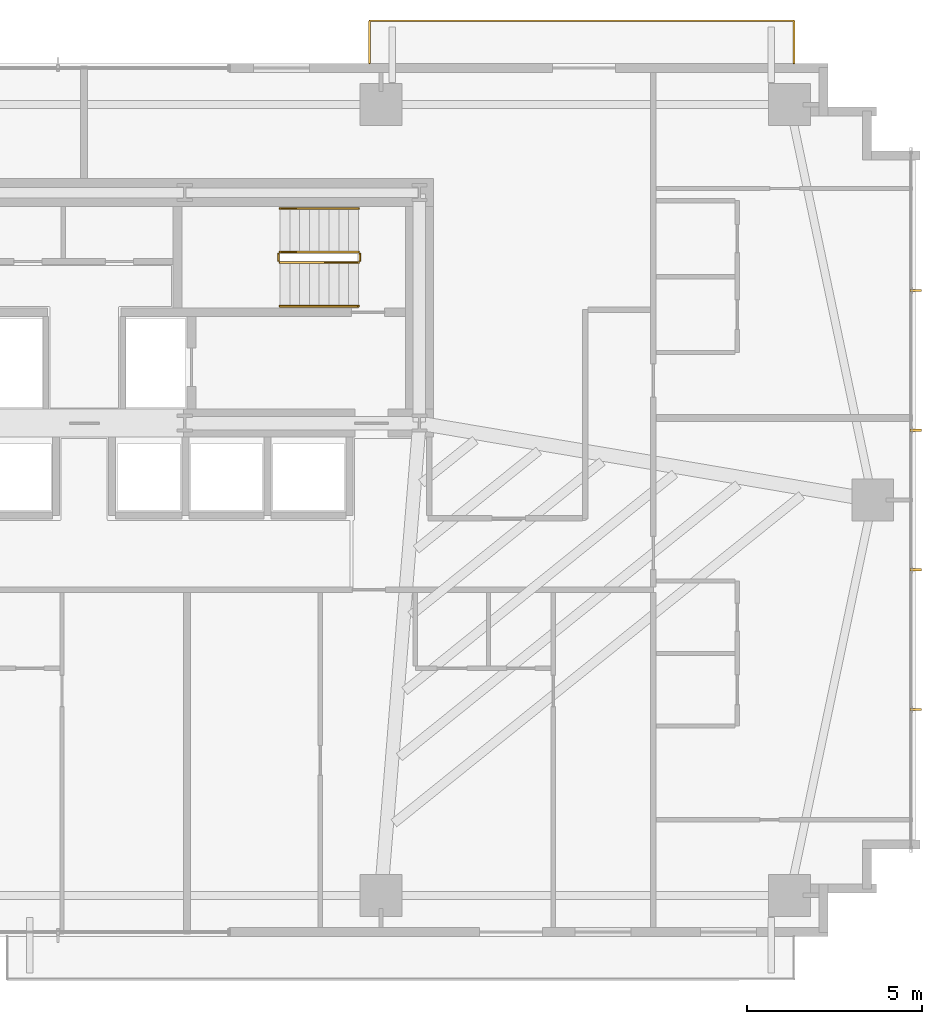
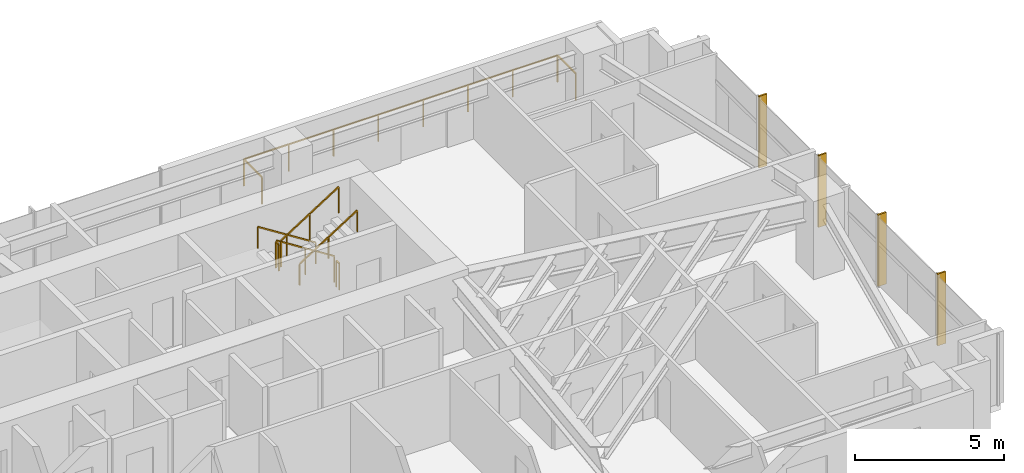
# One storey, part 25 of 25: 7 railings, 4 shading devices.
"""IFC4 building model written with IfcOpenShell, lengths in metres."""

from ifc_helpers import new_model, si_unit, direction, frame, origin, origin_2d, place, context, subcontext, project, spatial, rectangle, extrude, source, transform, mapped, material, type_object, type_shapes, element, save


model = new_model("IFC4")

# Units and contexts
model_context = context("Model", 3, precision=1e-05, world=origin(), true_north=direction((0.0, 1.0)))
body_context = subcontext(model_context, "Body", "Model", "MODEL_VIEW")
ifc_project = project(units=[si_unit("LENGTHUNIT", "METRE"), si_unit("AREAUNIT", "SQUARE_METRE"), si_unit("VOLUMEUNIT", "CUBIC_METRE"), si_unit("PLANEANGLEUNIT", "RADIAN"), si_unit("MASSUNIT", "GRAM", prefix="KILO")], contexts=[model_context])

# Site, building, storey
site_placement = place(None, origin())
site = spatial("IfcSite", under=ifc_project, at=site_placement, CompositionType="ELEMENT")
building_placement = place(site_placement, origin())
building = spatial("IfcBuilding", under=site, at=building_placement, Name="Astriad Promenade Condominiums", CompositionType="ELEMENT")
storey_placement = place(building_placement, frame((0.0, 0.0, 45.39990234375)))
storey = spatial("IfcBuildingStorey", under=building, at=storey_placement, Name="L12", CompositionType="ELEMENT", Elevation=45.39990234375)

# Shading devices
ifc_material_1 = material(Name="Anodised aluminium 6063-T6 Black Fin", Category="aluminium")
shading_device_type = type_object("IfcShadingDeviceType", Name="FIN-BLACK-320", PredefinedType="USERDEFINED", material=ifc_material_1)
shared_shape_1 = source(origin(), body_context, "Body", "SweptSolid", [
    extrude(rectangle(XDim=0.06494140625, YDim=0.320068359375, at=origin_2d()), origin(), (0.0, 0.0, 1.0), 2.93994140625),
])
type_shapes(shading_device_type, [shared_shape_1])
for number, where, z_axis, x_axis, name in (
    (1, (59.81005859375, 21.199951171875, 0.000244140625), (0.0, 0.0, 1.0), (0.0, -1.0, 0.0), "CW-L12-E-FIN-01"),
    (2, (59.81005859375, 17.199951171875, 0.000244140625), (0.0, 0.0, 1.0), (0.0, -1.0, 0.0), "CW-L12-E-FIN-02"),
    (3, (59.81005859375, 13.199951171875, 0.000244140625), (0.0, 0.0, 1.0), (0.0, -1.0, 0.0), "CW-L12-E-FIN-03"),
    (4, (59.81005859375, 9.199951171875, 0.000244140625), (0.0, 0.0, 1.0), (0.0, -1.0, 0.0), "CW-L12-E-FIN-04"),
):
    element("IfcShadingDevice", number, at=place(storey_placement, frame(where, z_axis=z_axis, x_axis=x_axis)), inside=storey, type_object=shading_device_type, Name=name, ObjectType="FIN", PredefinedType="USERDEFINED", context=body_context, shape_type="MappedRepresentation", body=[
        mapped(shared_shape_1, transform((0.0, 0.0, 0.0), scale=1.0)),
    ])

# Railings
ifc_material_2 = material(Name="Laminated Glass and Stainless Steel Balustrade", Category="steel")
railing_type_1 = type_object("IfcRailingType", Name="GRD-BALC-1120", PredefinedType="BALUSTRADE", material=ifc_material_2)
shared_shape_2 = source(origin(), body_context, "Body", "SweptSolid", [
    extrude(rectangle(XDim=0.048095703125, YDim=0.048095703125, at=origin_2d()), frame((0.0, 0.0, 1.09619140625), z_axis=(0.0, 1.0, 0.0), x_axis=(-1.0, 0.0, 0.0)), (0.0, 0.0, 1.0), 1.219970703125),
    extrude(rectangle(XDim=0.048095703125, YDim=0.048095703125, at=origin_2d()), frame((0.0, 1.219970703125, 1.09619140625), z_axis=(-1.0, 0.0, 0.0), x_axis=(0.0, -1.0, 0.0)), (0.0, 0.0, 1.0), 12.153076171875),
    extrude(rectangle(XDim=0.048095703125, YDim=0.048095703125, at=origin_2d()), frame((-12.153076171875, 1.219970703125, 1.09619140625), z_axis=(0.0, -1.0, 0.0), x_axis=(1.0, 0.0, 0.0)), (0.0, 0.0, 1.0), 1.219970703125),
    extrude(rectangle(XDim=0.0419921875, YDim=0.0419921875, at=origin_2d()), origin(), (0.0, 0.0, 1.0), 1.072021484375),
    extrude(rectangle(XDim=0.0419921875, YDim=0.0419921875, at=origin_2d()), frame((0.0, 1.219970703125, 0.0)), (0.0, 0.0, 1.0), 1.072021484375),
    extrude(rectangle(XDim=0.0419921875, YDim=0.0419921875, at=origin_2d()), frame((-1.736083984375, 1.219970703125, 0.0)), (0.0, 0.0, 1.0), 1.072021484375),
    extrude(rectangle(XDim=0.0419921875, YDim=0.0419921875, at=origin_2d()), frame((-3.472412109375, 1.219970703125, 0.0)), (0.0, 0.0, 1.0), 1.072021484375),
    extrude(rectangle(XDim=0.0419921875, YDim=0.0419921875, at=origin_2d()), frame((-5.20849609375, 1.219970703125, 0.0)), (0.0, 0.0, 1.0), 1.072021484375),
    extrude(rectangle(XDim=0.0419921875, YDim=0.0419921875, at=origin_2d()), frame((-6.944580078125, 1.219970703125, 0.0)), (0.0, 0.0, 1.0), 1.072021484375),
    extrude(rectangle(XDim=0.0419921875, YDim=0.0419921875, at=origin_2d()), frame((-8.6806640625, 1.219970703125, 0.0)), (0.0, 0.0, 1.0), 1.072021484375),
    extrude(rectangle(XDim=0.0419921875, YDim=0.0419921875, at=origin_2d()), frame((-10.4169921875, 1.219970703125, 0.0)), (0.0, 0.0, 1.0), 1.072021484375),
    extrude(rectangle(XDim=0.0419921875, YDim=0.0419921875, at=origin_2d()), frame((-12.153076171875, 1.219970703125, 0.0)), (0.0, 0.0, 1.0), 1.072021484375),
    extrude(rectangle(XDim=0.0419921875, YDim=0.0419921875, at=origin_2d()), frame((-12.153076171875, 0.0, 0.0)), (0.0, 0.0, 1.0), 1.072021484375),
])
type_shapes(railing_type_1, [shared_shape_2])
railing_1_placement = place(storey_placement, frame((56.322998046875, 27.699951171875, 0.0)))
element("IfcRailing", 5, at=railing_1_placement, inside=storey, type_object=railing_type_1, Name="GRD-BALC-L12-NE", PredefinedType="BALUSTRADE", context=body_context, shape_type="MappedRepresentation", body=[
    mapped(shared_shape_2, transform((0.0, 0.0, 0.0), scale=1.0)),
])
ifc_material_3 = material(Name="Painted Galvanised Steel Guardrail", Category="steel")
railing_type_2 = type_object("IfcRailingType", Name="GRD-STAIR-1100", PredefinedType="GUARDRAIL", material=ifc_material_3)
shared_shape_3 = source(origin(), body_context, "Body", "SweptSolid", [
    extrude(rectangle(XDim=0.048095703125, YDim=0.048095703125, at=origin_2d()), frame((0.0, 0.0, 1.076171875), z_axis=(0.84418770128, 0.0, 0.536047689118), x_axis=(0.0, 1.0, 0.0)), (0.0, 0.0, 1.0), 2.6533203125),
    extrude(rectangle(XDim=0.0419921875, YDim=0.0419921875, at=origin_2d()), origin(), (0.0, 0.0, 1.0), 1.052001953125),
    extrude(rectangle(XDim=0.0419921875, YDim=0.0419921875, at=origin_2d()), frame((1.1201171875, 0.0, 0.711181640625)), (0.0, 0.0, 1.0), 1.052001953125),
    extrude(rectangle(XDim=0.0419921875, YDim=0.0419921875, at=origin_2d()), frame((2.239990234375, 0.0, 1.42236328125)), (0.0, 0.0, 1.0), 1.052001953125),
])
railing_2_placement = place(storey_placement, frame((41.610107421875, 22.0, 1.77783203125)))
element("IfcRailing", 6, at=railing_2_placement, inside=storey, type_object=railing_type_2, Name="L12 ST-2 stair guard 3", PredefinedType="GUARDRAIL", context=body_context, shape_type="MappedRepresentation", body=[
    mapped(shared_shape_3, transform((0.0, 0.0, 0.0), scale=1.0)),
])
shared_shape_4 = source(origin(), body_context, "Body", "SweptSolid", [
    extrude(rectangle(XDim=0.048095703125, YDim=0.048095703125, at=origin_2d()), frame((0.0, 0.0, 1.076171875), z_axis=(-0.8442293374, 0.0, 0.53598211339), x_axis=(0.0, -1.0, 0.0)), (0.0, 0.0, 1.0), 2.6533203125),
    extrude(rectangle(XDim=0.0419921875, YDim=0.0419921875, at=origin_2d()), origin(), (0.0, 0.0, 1.0), 1.052001953125),
    extrude(rectangle(XDim=0.0419921875, YDim=0.0419921875, at=origin_2d()), frame((-1.1201171875, 0.0, 0.7109375)), (0.0, 0.0, 1.0), 1.052001953125),
    extrude(rectangle(XDim=0.0419921875, YDim=0.0419921875, at=origin_2d()), frame((-2.239990234375, 0.0, 1.422119140625)), (0.0, 0.0, 1.0), 1.052001953125),
])
railing_3_placement = place(storey_placement, frame((43.85009765625, 22.300048828125, 0.177978515625)))
element("IfcRailing", 7, at=railing_3_placement, inside=storey, type_object=railing_type_2, Name="L12 ST-2 stair guard 1", PredefinedType="GUARDRAIL", context=body_context, shape_type="MappedRepresentation", body=[
    mapped(shared_shape_4, transform((0.0, 0.0, 0.0), scale=1.0)),
])
ifc_material_4 = material(Name="Brushed Stainless Steel Handrail", Category="steel")
railing_type_3 = type_object("IfcRailingType", Name="HRL-STAIR-920", PredefinedType="HANDRAIL", material=ifc_material_4)
shared_shape_5 = source(origin(), body_context, "Body", "SweptSolid", [
    extrude(rectangle(XDim=0.048095703125, YDim=0.048095703125, at=origin_2d()), frame((0.0, 0.0, 0.8759765625), z_axis=(0.84418770128, 0.0, 0.536047689118), x_axis=(0.0, 1.0, 0.0)), (0.0, 0.0, 1.0), 2.6533203125),
    extrude(rectangle(XDim=0.0419921875, YDim=0.0419921875, at=origin_2d()), origin(), (0.0, 0.0, 1.0), 0.851806640625),
    extrude(rectangle(XDim=0.0419921875, YDim=0.0419921875, at=origin_2d()), frame((1.1201171875, 0.0, 0.711181640625)), (0.0, 0.0, 1.0), 0.851806640625),
    extrude(rectangle(XDim=0.0419921875, YDim=0.0419921875, at=origin_2d()), frame((2.239990234375, 0.0, 1.42236328125)), (0.0, 0.0, 1.0), 0.851806640625),
])
railing_4_placement = place(storey_placement, frame((41.610107421875, 20.75, 1.77783203125)))
element("IfcRailing", 8, at=railing_4_placement, inside=storey, type_object=railing_type_3, Name="L12 ST-2 stair handrail 2", PredefinedType="HANDRAIL", context=body_context, shape_type="MappedRepresentation", body=[
    mapped(shared_shape_5, transform((0.0, 0.0, 0.0), scale=1.0)),
])
shared_shape_6 = source(origin(), body_context, "Body", "SweptSolid", [
    extrude(rectangle(XDim=0.048095703125, YDim=0.048095703125, at=origin_2d()), frame((0.0, 0.0, 0.8759765625), z_axis=(-0.8442293374, 0.0, 0.53598211339), x_axis=(0.0, -1.0, 0.0)), (0.0, 0.0, 1.0), 2.6533203125),
    extrude(rectangle(XDim=0.0419921875, YDim=0.0419921875, at=origin_2d()), origin(), (0.0, 0.0, 1.0), 0.851806640625),
    extrude(rectangle(XDim=0.0419921875, YDim=0.0419921875, at=origin_2d()), frame((-1.1201171875, 0.0, 0.7109375)), (0.0, 0.0, 1.0), 0.851806640625),
    extrude(rectangle(XDim=0.0419921875, YDim=0.0419921875, at=origin_2d()), frame((-2.239990234375, 0.0, 1.422119140625)), (0.0, 0.0, 1.0), 0.851806640625),
])
type_shapes(railing_type_3, [shared_shape_5, shared_shape_6])
railing_5_placement = place(storey_placement, frame((43.85009765625, 23.550048828125, 0.177978515625)))
element("IfcRailing", 9, at=railing_5_placement, inside=storey, type_object=railing_type_3, Name="L12 ST-2 stair handrail 1", PredefinedType="HANDRAIL", context=body_context, shape_type="MappedRepresentation", body=[
    mapped(shared_shape_6, transform((0.0, 0.0, 0.0), scale=1.0)),
])
shared_shape_7 = source(origin(), body_context, "Body", "SweptSolid", [
    extrude(rectangle(XDim=0.048095703125, YDim=0.048095703125, at=origin_2d()), frame((0.0, 0.0, 1.076171875), z_axis=(0.0, -1.0, 0.0), x_axis=(1.0, 0.0, 0.0)), (0.0, 0.0, 1.0), 0.199951171875),
    extrude(rectangle(XDim=0.0419921875, YDim=0.0419921875, at=origin_2d()), origin(), (0.0, 0.0, 1.0), 1.052001953125),
    extrude(rectangle(XDim=0.0419921875, YDim=0.0419921875, at=origin_2d()), frame((0.0, -0.199951171875, 0.0)), (0.0, 0.0, 1.0), 1.052001953125),
])
type_shapes(railing_type_2, [shared_shape_3, shared_shape_4, shared_shape_7])
for number, where, name in (
    (10, (41.56005859375, 22.25, 1.60009765625), "L12 ST-2 stair guard 2"),
    (11, (43.89990234375, 22.25, 0.0), "L12 ST-2 stair guard 4"),
):
    element("IfcRailing", number, at=place(storey_placement, frame(where)), inside=storey, type_object=railing_type_2, Name=name, PredefinedType="GUARDRAIL", context=body_context, shape_type="MappedRepresentation", body=[
        mapped(shared_shape_7, transform((0.0, 0.0, 0.0), scale=1.0)),
    ])

save(model, "model.ifc")
